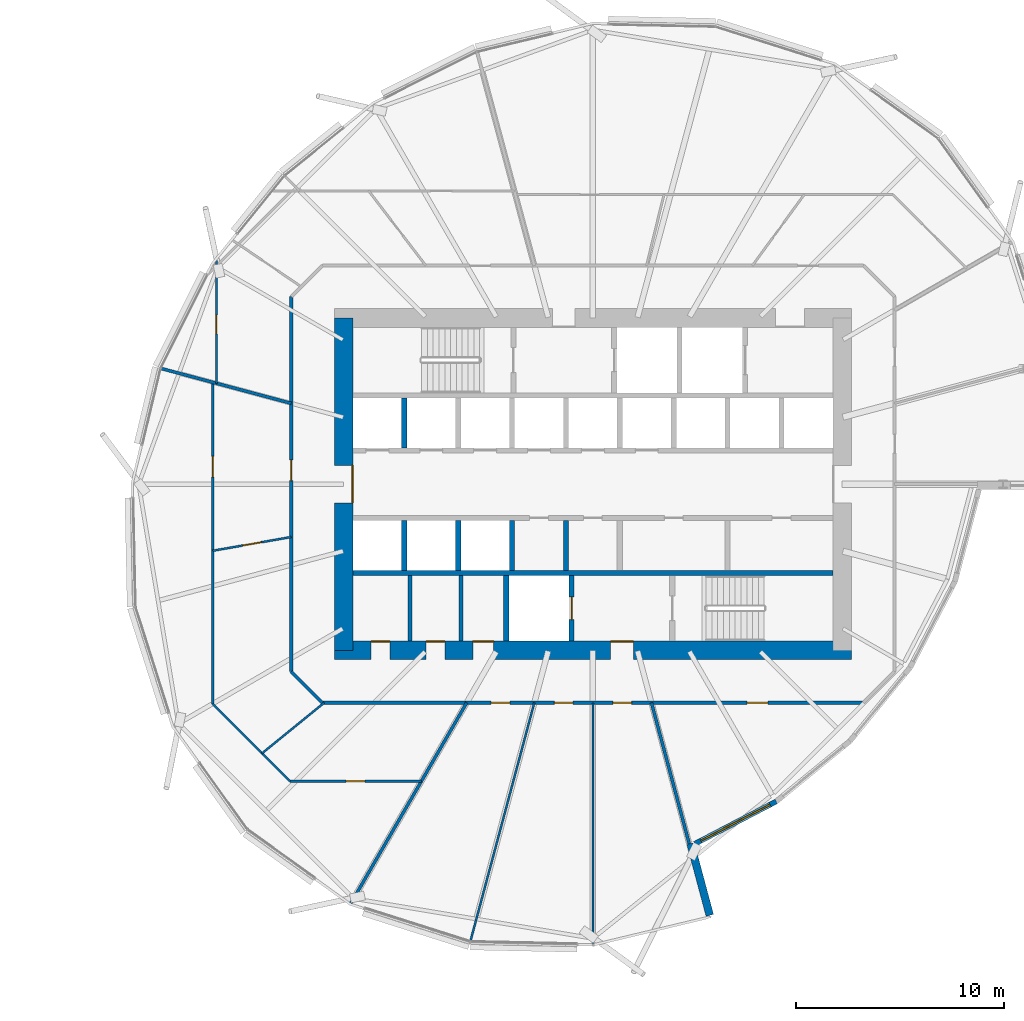
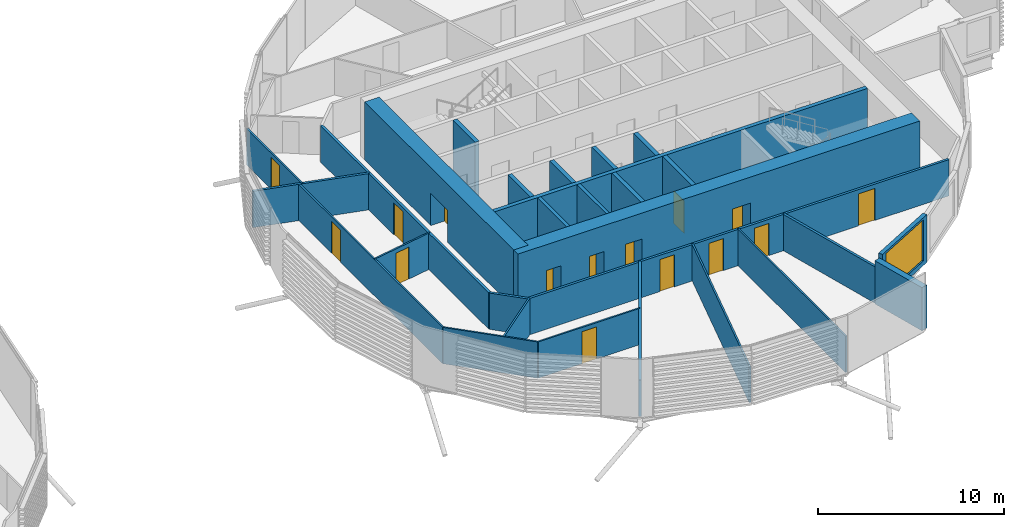
# One storey, part 23 of 38: 28 walls, 15 doors, 1 window, 16 openings.
"""IFC4 building model written with IfcOpenShell, lengths in metres."""

from ifc_helpers import new_model, si_unit, direction, frame, frame_2d, origin, place, context, subcontext, project, spatial, rectangle, extrude, material, layer, layer_set, type_object, element, fill, save


model = new_model("IFC4")

# Units and contexts
model_context = context("Model", 3, precision=1e-05, world=origin(), true_north=direction((0.0, 1.0)))
body_context = subcontext(model_context, "Body", "Model", "MODEL_VIEW")
ifc_project = project(units=[si_unit("LENGTHUNIT", "METRE"), si_unit("AREAUNIT", "SQUARE_METRE"), si_unit("VOLUMEUNIT", "CUBIC_METRE"), si_unit("PLANEANGLEUNIT", "RADIAN"), si_unit("MASSUNIT", "GRAM", prefix="KILO")], contexts=[model_context])

# Site, building, storey
site_placement = place(None, origin())
site = spatial("IfcSite", under=ifc_project, at=site_placement, CompositionType="ELEMENT")
building_placement = place(site_placement, origin())
building = spatial("IfcBuilding", under=site, at=building_placement, Name="Rimbun Link Towers", CompositionType="ELEMENT")
storey_placement = place(building_placement, frame((0.0, 0.0, 71.800048828125)))
storey = spatial("IfcBuildingStorey", under=building, at=storey_placement, Name="L17", CompositionType="ELEMENT", Elevation=71.800048828125)

# Wall, opening, window
ifc_material_1 = material(Name="Dark enamelled glass spandrel on insulated aluminium backpan", Category="aluminium")
ifc_layer_1 = layer(ifc_material_1, 0.25)
ifc_layer_set_1 = layer_set([ifc_layer_1], Name="CS dark enamelled spandrel wall 250")
wall_type_1 = type_object("IfcWallType", Name="CS dark enamelled spandrel wall 250", PredefinedType="STANDARD", material=ifc_layer_set_1)
wall_1_placement = place(storey_placement, frame((40.57958984375, -15.278564453125, 0.0), z_axis=(0.0, 0.0, 1.0), x_axis=(-0.886942309025, -0.461880223069, 0.0)))
wall_1 = element("IfcWall", 1, at=wall_1_placement, inside=storey, type_object=wall_type_1, Name="Crease spandrel wall", PredefinedType="STANDARD", context=body_context, shape_type="SweptSolid", body=[
    extrude(rectangle(XDim=4.429443359375, YDim=0.25, at=frame_2d((2.21484375, 0.0))), origin(), (0.0, 0.0, 1.0), 3.136474609375),
])
opening_1_placement = place(wall_1_placement, frame((0.33984375, 0.0, 0.300048828125)))
opening_1 = element("IfcOpeningElement", 2, at=opening_1_placement, cuts=wall_1, Name="Opening WR38H270", PredefinedType="OPENING", context=body_context, shape_type="SweptSolid", body=[
    extrude(rectangle(XDim=3.75, YDim=2.699951171875, at=frame_2d((1.875, 1.35009765625))), frame((0.0, 0.135009765625, 0.0), z_axis=(0.0, -1.0, 0.0), x_axis=(1.0, 0.0, 0.0)), (0.0, 0.0, 1.0), 0.27001953125),
])
ifc_material_2 = material(Name="Aluminium framed fixed window, dark tinted low-e glass", Category="aluminium")
window_type = type_object("IfcWindowType", Name="WR ribbon window 3750X2700", PartitioningType="SINGLE_PANEL", PredefinedType="WINDOW", material=ifc_material_2)
window_placement = place(opening_1_placement, origin())
window = element("IfcWindow", 3, at=window_placement, inside=storey, type_object=window_type, Name="Crease ribbon window", OverallHeight=2.699951171875, OverallWidth=3.75, PartitioningType="SINGLE_PANEL", PredefinedType="WINDOW", context=body_context, shape_type="SweptSolid", body=[
    extrude(rectangle(XDim=3.75, YDim=2.699951171875, at=frame_2d((1.875, 1.35009765625))), frame((0.0, 0.030029296875, 0.0), z_axis=(0.0, -1.0, 0.0), x_axis=(1.0, 0.0, 0.0)), (0.0, 0.0, 1.0), 0.06005859375),
])
fill(opening_1, window)

# Walls
ifc_material_3 = material(Name="Dark enamelled glass spandrel on insulated aluminium backpan", Category="aluminium")
ifc_layer_2 = layer(ifc_material_3, 0.3701171875)
ifc_layer_set_2 = layer_set([ifc_layer_2], Name="CS dark enamelled spandrel wall 370")
wall_type_2 = type_object("IfcWallType", Name="CS dark enamelled spandrel wall 370", PredefinedType="STANDARD", material=ifc_layer_set_2)
wall_2_placement = place(storey_placement, frame((36.453369140625, -17.30224609375, 0.0), z_axis=(0.0, 0.0, 1.0), x_axis=(0.258867887085, -0.965912737796, 0.0)))
element("IfcWall", 4, at=wall_2_placement, inside=storey, type_object=wall_type_2, Name="Crease spandrel wall", PredefinedType="STANDARD", context=body_context, shape_type="SweptSolid", body=[
    extrude(rectangle(XDim=3.580078125, YDim=0.3701171875, at=frame_2d((1.7900390625, 0.0))), origin(), (0.0, 0.0, 1.0), 2.82763671875),
])
ifc_material_4 = material(Name="Masonry blockwork", Category="masonry")
ifc_layer_3 = layer(ifc_material_4, 0.199951171875)
ifc_layer_set_3 = layer_set([ifc_layer_3], Name="Core partition 200")
wall_type_3 = type_object("IfcWallType", Name="Core partition 200", PredefinedType="PARTITIONING", material=ifc_layer_set_3)
for number, where, z_axis, x_axis, name in (
    (5, (22.949951171875, -4.39990234375, 0.0), (0.0, 0.0, 1.0), (0.0, -1.0, 0.0), "L17 T2 core wall C1"),
    (6, (25.39990234375, -4.39990234375, 0.0), (0.0, 0.0, 1.0), (0.0, -1.0, 0.0), "L17 T2 core wall C2"),
):
    element("IfcWall", number, at=place(storey_placement, frame(where, z_axis=z_axis, x_axis=x_axis)), inside=storey, type_object=wall_type_3, Name=name, PredefinedType="PARTITIONING", context=body_context, shape_type="SweptSolid", body=[
        extrude(rectangle(XDim=3.150146484375, YDim=0.199951171875, at=frame_2d((1.5751953125, 0.0))), origin(), (0.0, 0.0, 1.0), 3.800048828125),
    ])

# Wall, openings, doors
ifc_material_5 = material(Name="Concrete C60/75", Category="concrete")
ifc_layer_4 = layer(ifc_material_5, 0.89990234375)
ifc_layer_set_4 = layer_set([ifc_layer_4], Name="Core shear wall 900")
wall_type_4 = type_object("IfcWallType", Name="Core shear wall 900", PredefinedType="SHEAR", material=ifc_layer_set_4)
wall_3_placement = place(storey_placement, frame((19.300048828125, -8.0, 0.0), z_axis=(0.0, 0.0, 1.0), x_axis=(1.0, 0.0, 0.0)))
wall_3 = element("IfcWall", 7, at=wall_3_placement, inside=storey, type_object=wall_type_4, Name="L17 T2 core wall S", PredefinedType="SHEAR", context=body_context, shape_type="SweptSolid", body=[
    extrude(rectangle(XDim=24.89990234375, YDim=0.89990234375, at=frame_2d((12.449951171875, 0.0))), origin(), (0.0, 0.0, 1.0), 3.800048828125),
])
opening_2_placement = place(wall_3_placement, frame((13.300048828125, 0.0, 0.0)))
opening_2 = element("IfcOpeningElement", 8, at=opening_2_placement, cuts=wall_3, Name="Opening C2DCF01S", PredefinedType="OPENING", context=body_context, shape_type="SweptSolid", body=[
    extrude(rectangle(XDim=1.10009765625, YDim=2.10009765625, at=frame_2d((0.550048828125, 1.050048828125))), frame((0.0, 0.4599609375, 0.0), z_axis=(0.0, -1.0, 0.0), x_axis=(1.0, 0.0, 0.0)), (0.0, 0.0, 1.0), 0.919921875),
])
opening_3_placement = place(wall_3_placement, frame((1.77490234375, 0.0, 0.0)))
opening_3 = element("IfcOpeningElement", 9, at=opening_3_placement, cuts=wall_3, Name="Opening C2DWC02S", PredefinedType="OPENING", context=body_context, shape_type="SweptSolid", body=[
    extrude(rectangle(XDim=0.89990234375, YDim=2.10009765625, at=frame_2d((0.449951171875, 1.050048828125))), frame((0.0, 0.4599609375, 0.0), z_axis=(0.0, -1.0, 0.0), x_axis=(1.0, 0.0, 0.0)), (0.0, 0.0, 1.0), 0.919921875),
])
opening_4_placement = place(wall_3_placement, frame((4.425048828125, 0.0, 0.0)))
opening_4 = element("IfcOpeningElement", 10, at=opening_4_placement, cuts=wall_3, Name="Opening C2DWC03S", PredefinedType="OPENING", context=body_context, shape_type="SweptSolid", body=[
    extrude(rectangle(XDim=0.89990234375, YDim=2.10009765625, at=frame_2d((0.449951171875, 1.050048828125))), frame((0.0, 0.4599609375, 0.0), z_axis=(0.0, -1.0, 0.0), x_axis=(1.0, 0.0, 0.0)), (0.0, 0.0, 1.0), 0.919921875),
])
opening_5_placement = place(wall_3_placement, frame((6.675048828125, 0.0, 0.0)))
opening_5 = element("IfcOpeningElement", 11, at=opening_5_placement, cuts=wall_3, Name="Opening C2DAW04S", PredefinedType="OPENING", context=body_context, shape_type="SweptSolid", body=[
    extrude(rectangle(XDim=1.0, YDim=2.10009765625, at=frame_2d((0.5, 1.050048828125))), frame((0.0, 0.4599609375, 0.0), z_axis=(0.0, -1.0, 0.0), x_axis=(1.0, 0.0, 0.0)), (0.0, 0.0, 1.0), 0.919921875),
])
ifc_material_6 = material(Name="Timber", Category="wood")
door_type_1 = type_object("IfcDoorType", Name="Accessible WC door", OperationType="SINGLE_SWING_LEFT", PredefinedType="DOOR", material=ifc_material_6)
door_1_placement = place(opening_5_placement, origin())
door_1 = element("IfcDoor", 12, at=door_1_placement, inside=storey, type_object=door_type_1, Name="L17 T2 accessible wc door", OperationType="SINGLE_SWING_RIGHT", OverallHeight=2.10009765625, OverallWidth=1.0, PredefinedType="DOOR", context=body_context, shape_type="SweptSolid", body=[
    extrude(rectangle(XDim=1.0, YDim=2.10009765625, at=frame_2d((0.5, 1.050048828125))), frame((0.0, 0.4501953125, 0.0), z_axis=(0.0, -1.0, 0.0), x_axis=(1.0, 0.0, 0.0)), (0.0, 0.0, 1.0), 0.050048828125),
])
fill(opening_5, door_1)
ifc_material_7 = material(Name="Steel fire door set", Category="steel")
door_type_2 = type_object("IfcDoorType", Name="Core fire door single", OperationType="SINGLE_SWING_LEFT", PredefinedType="DOOR", material=ifc_material_7)
door_2_placement = place(opening_2_placement, origin())
door_2 = element("IfcDoor", 13, at=door_2_placement, inside=storey, type_object=door_type_2, Name="L17 T2 firefighting lobby s door", OperationType="SINGLE_SWING_LEFT", OverallHeight=2.10009765625, OverallWidth=1.10009765625, PredefinedType="DOOR", context=body_context, shape_type="SweptSolid", body=[
    extrude(rectangle(XDim=1.10009765625, YDim=2.10009765625, at=frame_2d((0.550048828125, 1.050048828125))), frame((0.0, 0.4501953125, 0.0), z_axis=(0.0, -1.0, 0.0), x_axis=(1.0, 0.0, 0.0)), (0.0, 0.0, 1.0), 0.050048828125),
])
fill(opening_2, door_2)
ifc_material_8 = material(Name="Timber", Category="wood")
door_type_3 = type_object("IfcDoorType", Name="WC door", OperationType="SINGLE_SWING_LEFT", PredefinedType="DOOR", material=ifc_material_8)
door_3_placement = place(opening_3_placement, origin())
door_3 = element("IfcDoor", 14, at=door_3_placement, inside=storey, type_object=door_type_3, Name="L17 T2 male wc door", OperationType="SINGLE_SWING_RIGHT", OverallHeight=2.10009765625, OverallWidth=0.89990234375, PredefinedType="DOOR", context=body_context, shape_type="SweptSolid", body=[
    extrude(rectangle(XDim=0.89990234375, YDim=2.10009765625, at=frame_2d((0.449951171875, 1.050048828125))), frame((0.0, 0.4501953125, 0.0), z_axis=(0.0, -1.0, 0.0), x_axis=(1.0, 0.0, 0.0)), (0.0, 0.0, 1.0), 0.050048828125),
])
fill(opening_3, door_3)
door_4_placement = place(opening_4_placement, origin())
door_4 = element("IfcDoor", 15, at=door_4_placement, inside=storey, type_object=door_type_3, Name="L17 T2 female wc door", OperationType="SINGLE_SWING_RIGHT", OverallHeight=2.10009765625, OverallWidth=0.89990234375, PredefinedType="DOOR", context=body_context, shape_type="SweptSolid", body=[
    extrude(rectangle(XDim=0.89990234375, YDim=2.10009765625, at=frame_2d((0.449951171875, 1.050048828125))), frame((0.0, 0.4501953125, 0.0), z_axis=(0.0, -1.0, 0.0), x_axis=(1.0, 0.0, 0.0)), (0.0, 0.0, 1.0), 0.050048828125),
])
fill(opening_4, door_4)

# Wall, opening, door
wall_4_placement = place(storey_placement, frame((19.75, -8.0, 0.0), z_axis=(0.0, 0.0, 1.0), x_axis=(0.0, 1.0, 0.0)))
wall_4 = element("IfcWall", 16, at=wall_4_placement, inside=storey, type_object=wall_type_4, Name="L17 T2 core wall W", PredefinedType="SHEAR", context=body_context, shape_type="SweptSolid", body=[
    extrude(rectangle(XDim=16.0, YDim=0.89990234375, at=frame_2d((8.0, 0.0))), origin(), (0.0, 0.0, 1.0), 3.800048828125),
])
opening_6_placement = place(wall_4_placement, frame((7.10009765625, 0.0, 0.0)))
opening_6 = element("IfcOpeningElement", 17, at=opening_6_placement, cuts=wall_4, Name="Opening C2DCL01W", PredefinedType="OPENING", context=body_context, shape_type="SweptSolid", body=[
    extrude(rectangle(XDim=1.800048828125, YDim=2.10009765625, at=frame_2d((0.89990234375, 1.050048828125))), frame((0.0, 0.4599609375, 0.0), z_axis=(0.0, -1.0, 0.0), x_axis=(1.0, 0.0, 0.0)), (0.0, 0.0, 1.0), 0.919921875),
])
ifc_material_9 = material(Name="Steel fire door set", Category="steel")
door_type_4 = type_object("IfcDoorType", Name="Core lobby door double", OperationType="DOUBLE_DOOR_SINGLE_SWING", PredefinedType="DOOR", material=ifc_material_9)
door_5_placement = place(opening_6_placement, origin())
door_5 = element("IfcDoor", 18, at=door_5_placement, inside=storey, type_object=door_type_4, Name="L17 T2 lift lobby door", OperationType="DOUBLE_DOOR_SINGLE_SWING", OverallHeight=2.10009765625, OverallWidth=1.800048828125, PredefinedType="DOOR", context=body_context, shape_type="SweptSolid", body=[
    extrude(rectangle(XDim=1.800048828125, YDim=2.10009765625, at=frame_2d((0.89990234375, 1.050048828125))), frame((0.0, -0.39990234375, 0.0), z_axis=(0.0, -1.0, 0.0), x_axis=(1.0, 0.0, 0.0)), (0.0, 0.0, 1.0), 0.050048828125),
])
fill(opening_6, door_5)

# Wall, openings, doors
ifc_material_10 = material(Name="Plasterboard on steel stud, mineral wool", Category="steel")
ifc_layer_5 = layer(ifc_material_10, 0.14990234375)
ifc_layer_set_5 = layer_set([ifc_layer_5], Name="Corridor wall EI 30 150 mm")
wall_type_5 = type_object("IfcWallType", Name="Corridor wall EI 30 150 mm", PredefinedType="PARTITIONING", material=ifc_layer_set_5)
wall_5_placement = place(storey_placement, frame((44.776611328125, -10.52490234375, 0.0), z_axis=(0.0, 0.0, 1.0), x_axis=(-1.0, 0.0, 0.0)))
wall_5 = element("IfcWall", 19, at=wall_5_placement, inside=storey, type_object=wall_type_5, Name="Corridor wall EI 30 150 mm", PredefinedType="PARTITIONING", context=body_context, shape_type="SweptSolid", body=[
    extrude(rectangle(XDim=26.05322265625, YDim=0.14990234375, at=frame_2d((13.026611328125, 0.0))), origin(), (0.0, 0.0, 1.0), 2.3798828125),
])
opening_7_placement = place(wall_5_placement, frame((17.025146484375, 0.0, 0.0)))
opening_7 = element("IfcOpeningElement", 20, at=opening_7_placement, cuts=wall_5, Name="Opening D02", PredefinedType="OPENING", context=body_context, shape_type="SweptSolid", body=[
    extrude(rectangle(XDim=0.89990234375, YDim=2.10009765625, at=frame_2d((0.449951171875, 1.050048828125))), frame((0.0, 0.0849609375, 0.0), z_axis=(0.0, -1.0, 0.0), x_axis=(1.0, 0.0, 0.0)), (0.0, 0.0, 1.0), 0.169921875),
])
opening_8_placement = place(wall_5_placement, frame((13.98681640625, 0.0, 0.0)))
opening_8 = element("IfcOpeningElement", 21, at=opening_8_placement, cuts=wall_5, Name="Opening D02", PredefinedType="OPENING", context=body_context, shape_type="SweptSolid", body=[
    extrude(rectangle(XDim=0.89990234375, YDim=2.10009765625, at=frame_2d((0.449951171875, 1.050048828125))), frame((0.0, 0.0849609375, 0.0), z_axis=(0.0, -1.0, 0.0), x_axis=(1.0, 0.0, 0.0)), (0.0, 0.0, 1.0), 0.169921875),
])
opening_9_placement = place(wall_5_placement, frame((11.16650390625, 0.0, 0.0)))
opening_9 = element("IfcOpeningElement", 22, at=opening_9_placement, cuts=wall_5, Name="Opening D02", PredefinedType="OPENING", context=body_context, shape_type="SweptSolid", body=[
    extrude(rectangle(XDim=0.89990234375, YDim=2.10009765625, at=frame_2d((0.449951171875, 1.050048828125))), frame((0.0, 0.0849609375, 0.0), z_axis=(0.0, -1.0, 0.0), x_axis=(1.0, 0.0, 0.0)), (0.0, 0.0, 1.0), 0.169921875),
])
opening_10_placement = place(wall_5_placement, frame((4.603271484375, 0.0, 0.0)))
opening_10 = element("IfcOpeningElement", 23, at=opening_10_placement, cuts=wall_5, Name="Opening D01", PredefinedType="OPENING", context=body_context, shape_type="SweptSolid", body=[
    extrude(rectangle(XDim=1.0, YDim=2.10009765625, at=frame_2d((0.5, 1.050048828125))), frame((0.0, 0.0849609375, 0.0), z_axis=(0.0, -1.0, 0.0), x_axis=(1.0, 0.0, 0.0)), (0.0, 0.0, 1.0), 0.169921875),
])
ifc_material_11 = material(Name="Fire-resisting timber door leaf", Category="wood")
door_type_5 = type_object("IfcDoorType", Name="Fire door FD30S 1000", OperationType="NOTDEFINED", PredefinedType="DOOR", material=ifc_material_11)
door_6_placement = place(opening_10_placement, origin())
door_6 = element("IfcDoor", 24, at=door_6_placement, inside=storey, type_object=door_type_5, Name="Fire door FD30S 1000 to Terrace office", OperationType="SINGLE_SWING_LEFT", OverallHeight=2.10009765625, OverallWidth=1.0, PredefinedType="DOOR", context=body_context, shape_type="SweptSolid", body=[
    extrude(rectangle(XDim=1.0, YDim=2.10009765625, at=frame_2d((0.5, 1.050048828125))), frame((0.0, 0.02490234375, 0.0), z_axis=(0.0, -1.0, 0.0), x_axis=(1.0, 0.0, 0.0)), (0.0, 0.0, 1.0), 0.050048828125),
])
fill(opening_10, door_6)
ifc_material_12 = material(Name="Fire-resisting timber door leaf", Category="wood")
door_type_6 = type_object("IfcDoorType", Name="Fire door FD30S 900", OperationType="NOTDEFINED", PredefinedType="DOOR", material=ifc_material_12)
door_7_placement = place(opening_7_placement, origin())
door_7 = element("IfcDoor", 25, at=door_7_placement, inside=storey, type_object=door_type_6, Name="Fire door FD30S 900 to Cellular office", OperationType="SINGLE_SWING_RIGHT", OverallHeight=2.10009765625, OverallWidth=0.89990234375, PredefinedType="DOOR", context=body_context, shape_type="SweptSolid", body=[
    extrude(rectangle(XDim=0.89990234375, YDim=2.10009765625, at=frame_2d((0.449951171875, 1.050048828125))), frame((0.0, 0.02490234375, 0.0), z_axis=(0.0, -1.0, 0.0), x_axis=(1.0, 0.0, 0.0)), (0.0, 0.0, 1.0), 0.050048828125),
])
fill(opening_7, door_7)
door_8_placement = place(opening_8_placement, origin())
door_8 = element("IfcDoor", 26, at=door_8_placement, inside=storey, type_object=door_type_6, Name="Fire door FD30S 900 to Cellular office", OperationType="SINGLE_SWING_LEFT", OverallHeight=2.10009765625, OverallWidth=0.89990234375, PredefinedType="DOOR", context=body_context, shape_type="SweptSolid", body=[
    extrude(rectangle(XDim=0.89990234375, YDim=2.10009765625, at=frame_2d((0.449951171875, 1.050048828125))), frame((0.0, 0.02490234375, 0.0), z_axis=(0.0, -1.0, 0.0), x_axis=(1.0, 0.0, 0.0)), (0.0, 0.0, 1.0), 0.050048828125),
])
fill(opening_8, door_8)
door_9_placement = place(opening_9_placement, origin())
door_9 = element("IfcDoor", 27, at=door_9_placement, inside=storey, type_object=door_type_6, Name="Fire door FD30S 900 to Meeting room", OperationType="SINGLE_SWING_RIGHT", OverallHeight=2.10009765625, OverallWidth=0.89990234375, PredefinedType="DOOR", context=body_context, shape_type="SweptSolid", body=[
    extrude(rectangle(XDim=0.89990234375, YDim=2.10009765625, at=frame_2d((0.449951171875, 1.050048828125))), frame((0.0, 0.02490234375, 0.0), z_axis=(0.0, -1.0, 0.0), x_axis=(1.0, 0.0, 0.0)), (0.0, 0.0, 1.0), 0.050048828125),
])
fill(opening_9, door_9)

# Wall
wall_6_placement = place(storey_placement, frame((17.22509765625, -9.026611328125, 0.0), z_axis=(0.0, 0.0, 1.0), x_axis=(0.707106781187, -0.707106781187, 0.0)))
element("IfcWall", 28, at=wall_6_placement, inside=storey, type_object=wall_type_5, Name="Corridor wall EI 30 150 mm", PredefinedType="PARTITIONING", context=body_context, shape_type="SweptSolid", body=[
    extrude(rectangle(XDim=2.118896484375, YDim=0.14990234375, at=frame_2d((1.0595703125, 0.0))), origin(), (0.0, 0.0, 1.0), 2.3798828125),
])

# Wall, opening, door
wall_7_placement = place(storey_placement, frame((17.22509765625, -9.026611328125, 0.0), z_axis=(0.0, 0.0, 1.0), x_axis=(0.0, 1.0, 0.0)))
wall_7 = element("IfcWall", 29, at=wall_7_placement, inside=storey, type_object=wall_type_5, Name="Corridor wall EI 30 150 mm", PredefinedType="PARTITIONING", context=body_context, shape_type="SweptSolid", body=[
    extrude(rectangle(XDim=18.05322265625, YDim=0.14990234375, at=frame_2d((9.026611328125, 0.0))), origin(), (0.0, 0.0, 1.0), 2.3798828125),
])
opening_11_placement = place(wall_7_placement, frame((9.200439453125, 0.0, 0.0)))
opening_11 = element("IfcOpeningElement", 30, at=opening_11_placement, cuts=wall_7, Name="Opening D01", PredefinedType="OPENING", context=body_context, shape_type="SweptSolid", body=[
    extrude(rectangle(XDim=1.0, YDim=2.10009765625, at=frame_2d((0.5, 1.050048828125))), frame((0.0, 0.0849609375, 0.0), z_axis=(0.0, -1.0, 0.0), x_axis=(1.0, 0.0, 0.0)), (0.0, 0.0, 1.0), 0.169921875),
])
door_10_placement = place(opening_11_placement, origin())
door_10 = element("IfcDoor", 31, at=door_10_placement, inside=storey, type_object=door_type_5, Name="Fire door FD30S 1000 to Customer lobby", OperationType="SINGLE_SWING_LEFT", OverallHeight=2.10009765625, OverallWidth=1.0, PredefinedType="DOOR", context=body_context, shape_type="SweptSolid", body=[
    extrude(rectangle(XDim=1.0, YDim=2.10009765625, at=frame_2d((0.5, 1.050048828125))), frame((0.0, 0.02490234375, 0.0), z_axis=(0.0, -1.0, 0.0), x_axis=(1.0, 0.0, 0.0)), (0.0, 0.0, 1.0), 0.050048828125),
])
fill(opening_11, door_10)

ifc_material_13 = material(Name="Plasterboard on steel stud", Category="steel")
ifc_layer_6 = layer(ifc_material_13, 0.10009765625)
ifc_layer_set_6 = layer_set([ifc_layer_6], Name="Plasterboard partition 100 mm")
wall_type_6 = type_object("IfcWallType", Name="Plasterboard partition 100 mm", PredefinedType="PARTITIONING", material=ifc_layer_set_6)
wall_8_placement = place(storey_placement, frame((13.625, 4.856689453125, 0.0), z_axis=(0.0, 0.0, 1.0), x_axis=(0.0, 1.0, 0.0)))
wall_8 = element("IfcWall", 32, at=wall_8_placement, inside=storey, type_object=wall_type_6, Name="Plasterboard partition 100 mm", PredefinedType="PARTITIONING", context=body_context, shape_type="SweptSolid", body=[
    extrude(rectangle(XDim=5.92431640625, YDim=0.10009765625, at=frame_2d((2.962158203125, 0.0))), origin(), (0.0, 0.0, 1.0), 2.3798828125),
])
opening_12_placement = place(wall_8_placement, frame((2.380615234375, 0.0, 0.0)))
opening_12 = element("IfcOpeningElement", 33, at=opening_12_placement, cuts=wall_8, Name="Opening D04", PredefinedType="OPENING", context=body_context, shape_type="SweptSolid", body=[
    extrude(rectangle(XDim=0.89990234375, YDim=2.10009765625, at=frame_2d((0.449951171875, 1.050048828125))), frame((0.0, 0.06005859375, 0.0), z_axis=(0.0, -1.0, 0.0), x_axis=(1.0, 0.0, 0.0)), (0.0, 0.0, 1.0), 0.1201171875),
])
ifc_material_14 = material(Name="Timber door leaf", Category="wood")
door_type_7 = type_object("IfcDoorType", Name="Flush door 900", OperationType="NOTDEFINED", PredefinedType="DOOR", material=ifc_material_14)
door_11_placement = place(opening_12_placement, origin())
door_11 = element("IfcDoor", 34, at=door_11_placement, inside=storey, type_object=door_type_7, Name="Flush door 900 to Serviced office", OperationType="SINGLE_SWING_LEFT", OverallHeight=2.10009765625, OverallWidth=0.89990234375, PredefinedType="DOOR", context=body_context, shape_type="SweptSolid", body=[
    extrude(rectangle(XDim=0.89990234375, YDim=2.10009765625, at=frame_2d((0.449951171875, 1.050048828125))), frame((0.0, 0.02490234375, 0.0), z_axis=(0.0, -1.0, 0.0), x_axis=(1.0, 0.0, 0.0)), (0.0, 0.0, 1.0), 0.050048828125),
])
fill(opening_12, door_11)

wall_9_placement = place(storey_placement, frame((17.22509765625, -2.544677734375, 0.0), z_axis=(0.0, 0.0, 1.0), x_axis=(-0.985003719376, -0.172533106436, 0.0)))
wall_9 = element("IfcWall", 35, at=wall_9_placement, inside=storey, type_object=wall_type_6, Name="Plasterboard partition 100 mm", PredefinedType="PARTITIONING", context=body_context, shape_type="SweptSolid", body=[
    extrude(rectangle(XDim=3.837646484375, YDim=0.10009765625, at=frame_2d((1.9189453125, 0.0))), origin(), (0.0, 0.0, 1.0), 2.3798828125),
])
opening_13_placement = place(wall_9_placement, frame((1.46875, 0.0, 0.0)))
opening_13 = element("IfcOpeningElement", 36, at=opening_13_placement, cuts=wall_9, Name="Opening D04", PredefinedType="OPENING", context=body_context, shape_type="SweptSolid", body=[
    extrude(rectangle(XDim=0.89990234375, YDim=2.10009765625, at=frame_2d((0.449951171875, 1.050048828125))), frame((0.0, 0.06005859375, 0.0), z_axis=(0.0, -1.0, 0.0), x_axis=(1.0, 0.0, 0.0)), (0.0, 0.0, 1.0), 0.1201171875),
])
door_12_placement = place(opening_13_placement, origin())
door_12 = element("IfcDoor", 37, at=door_12_placement, inside=storey, type_object=door_type_7, Name="Flush door 900 to Interview room", OperationType="SINGLE_SWING_RIGHT", OverallHeight=2.10009765625, OverallWidth=0.89990234375, PredefinedType="DOOR", context=body_context, shape_type="SweptSolid", body=[
    extrude(rectangle(XDim=0.89990234375, YDim=2.10009765625, at=frame_2d((0.449951171875, 1.050048828125))), frame((0.0, 0.02490234375, 0.0), z_axis=(0.0, -1.0, 0.0), x_axis=(1.0, 0.0, 0.0)), (0.0, 0.0, 1.0), 0.050048828125),
])
fill(opening_13, door_12)

wall_10_placement = place(storey_placement, frame((13.445068359375, -10.59228515625, 0.0), z_axis=(0.0, 0.0, 1.0), x_axis=(0.0, 1.0, 0.0)))
wall_10 = element("IfcWall", 38, at=wall_10_placement, inside=storey, type_object=wall_type_6, Name="Plasterboard partition 100 mm", PredefinedType="PARTITIONING", context=body_context, shape_type="SweptSolid", body=[
    extrude(rectangle(XDim=15.4970703125, YDim=0.10009765625, at=frame_2d((7.74853515625, 0.0))), origin(), (0.0, 0.0, 1.0), 2.3798828125),
])
opening_14_placement = place(wall_10_placement, frame((10.926513671875, 0.0, 0.0)))
opening_14 = element("IfcOpeningElement", 39, at=opening_14_placement, cuts=wall_10, Name="Opening D03", PredefinedType="OPENING", context=body_context, shape_type="SweptSolid", body=[
    extrude(rectangle(XDim=1.0, YDim=2.10009765625, at=frame_2d((0.5, 1.050048828125))), frame((0.0, 0.06005859375, 0.0), z_axis=(0.0, -1.0, 0.0), x_axis=(1.0, 0.0, 0.0)), (0.0, 0.0, 1.0), 0.1201171875),
])
ifc_material_15 = material(Name="Timber door leaf", Category="wood")
door_type_8 = type_object("IfcDoorType", Name="Flush door 1000", OperationType="NOTDEFINED", PredefinedType="DOOR", material=ifc_material_15)
door_13_placement = place(opening_14_placement, origin())
door_13 = element("IfcDoor", 40, at=door_13_placement, inside=storey, type_object=door_type_8, Name="Flush door 1000 to Banking hall", OperationType="SINGLE_SWING_LEFT", OverallHeight=2.10009765625, OverallWidth=1.0, PredefinedType="DOOR", context=body_context, shape_type="SweptSolid", body=[
    extrude(rectangle(XDim=1.0, YDim=2.10009765625, at=frame_2d((0.5, 1.050048828125))), frame((0.0, 0.02490234375, 0.0), z_axis=(0.0, -1.0, 0.0), x_axis=(1.0, 0.0, 0.0)), (0.0, 0.0, 1.0), 0.050048828125),
])
fill(opening_14, door_13)

# Walls
wall_11_placement = place(storey_placement, frame((15.8154296875, -12.962890625, 0.0), z_axis=(0.0, 0.0, 1.0), x_axis=(0.775725311714, 0.631070709799, 0.0)))
element("IfcWall", 41, at=wall_11_placement, inside=storey, type_object=wall_type_6, Name="Plasterboard partition 100 mm", PredefinedType="PARTITIONING", context=body_context, shape_type="SweptSolid", body=[
    extrude(rectangle(XDim=3.86328125, YDim=0.10009765625, at=frame_2d((1.931640625, 0.0))), origin(), (0.0, 0.0, 1.0), 2.3798828125),
])
wall_12_placement = place(storey_placement, frame((13.445068359375, -10.59228515625, 0.0), z_axis=(0.0, 0.0, 1.0), x_axis=(0.707106781187, -0.707106781187, 0.0)))
element("IfcWall", 42, at=wall_12_placement, inside=storey, type_object=wall_type_6, Name="Plasterboard partition 100 mm", PredefinedType="PARTITIONING", context=body_context, shape_type="SweptSolid", body=[
    extrude(rectangle(XDim=5.25048828125, YDim=0.10009765625, at=frame_2d((2.625244140625, 0.0))), origin(), (0.0, 0.0, 1.0), 2.3798828125),
])

# Wall, opening, door
wall_13_placement = place(storey_placement, frame((17.15771484375, -14.304931640625, 0.0), z_axis=(0.0, 0.0, 1.0), x_axis=(1.0, 0.0, 0.0)))
wall_13 = element("IfcWall", 43, at=wall_13_placement, inside=storey, type_object=wall_type_6, Name="Plasterboard partition 100 mm", PredefinedType="PARTITIONING", context=body_context, shape_type="SweptSolid", body=[
    extrude(rectangle(XDim=6.333251953125, YDim=0.10009765625, at=frame_2d((3.16650390625, 0.0))), origin(), (0.0, 0.0, 1.0), 2.3798828125),
])
opening_15_placement = place(wall_13_placement, frame((2.716796875, 0.0, 0.0)))
opening_15 = element("IfcOpeningElement", 44, at=opening_15_placement, cuts=wall_13, Name="Opening D04", PredefinedType="OPENING", context=body_context, shape_type="SweptSolid", body=[
    extrude(rectangle(XDim=0.89990234375, YDim=2.10009765625, at=frame_2d((0.449951171875, 1.050048828125))), frame((0.0, 0.06005859375, 0.0), z_axis=(0.0, -1.0, 0.0), x_axis=(1.0, 0.0, 0.0)), (0.0, 0.0, 1.0), 0.1201171875),
])
door_14_placement = place(opening_15_placement, origin())
door_14 = element("IfcDoor", 45, at=door_14_placement, inside=storey, type_object=door_type_7, Name="Flush door 900 to Strong room", OperationType="SINGLE_SWING_LEFT", OverallHeight=2.10009765625, OverallWidth=0.89990234375, PredefinedType="DOOR", context=body_context, shape_type="SweptSolid", body=[
    extrude(rectangle(XDim=0.89990234375, YDim=2.10009765625, at=frame_2d((0.449951171875, 1.050048828125))), frame((0.0, 0.02490234375, 0.0), z_axis=(0.0, -1.0, 0.0), x_axis=(1.0, 0.0, 0.0)), (0.0, 0.0, 1.0), 0.050048828125),
])
fill(opening_15, door_14)

# Walls
wall_14_placement = place(storey_placement, frame((25.853759765625, -22.0048828125, 0.0), z_axis=(0.0, 0.0, 1.0), x_axis=(0.258809329338, 0.965928429568, 0.0)))
element("IfcWall", 46, at=wall_14_placement, inside=storey, type_object=wall_type_6, Name="Plasterboard partition 100 mm", PredefinedType="PARTITIONING", context=body_context, shape_type="SweptSolid", body=[
    extrude(rectangle(XDim=11.885009765625, YDim=0.10009765625, at=frame_2d((5.9423828125, 0.0))), origin(), (0.0, 0.0, 1.0), 2.3798828125),
])
wall_15_placement = place(storey_placement, frame((31.75, -22.12890625, 0.0), z_axis=(0.0, 0.0, 1.0), x_axis=(0.0, 1.0, 0.0)))
element("IfcWall", 47, at=wall_15_placement, inside=storey, type_object=wall_type_6, Name="Plasterboard partition 100 mm", PredefinedType="PARTITIONING", context=body_context, shape_type="SweptSolid", body=[
    extrude(rectangle(XDim=11.60400390625, YDim=0.10009765625, at=frame_2d((5.802001953125, 0.0))), origin(), (0.0, 0.0, 1.0), 2.3798828125),
])
ifc_material_16 = material(Name="Concrete C60/75", Category="concrete")
ifc_layer_7 = layer(ifc_material_16, 0.25)
ifc_layer_set_7 = layer_set([ifc_layer_7], Name="Shaft wall 250")
wall_type_7 = type_object("IfcWallType", Name="Shaft wall 250", PredefinedType="SHEAR", material=ifc_layer_set_7)
wall_16_placement = place(storey_placement, frame((20.199951171875, -4.27490234375, 0.0), z_axis=(0.0, 0.0, 1.0), x_axis=(1.0, 0.0, 0.0)))
element("IfcWall", 48, at=wall_16_placement, inside=storey, type_object=wall_type_7, Name="L17 T2 core wall BS", PredefinedType="SHEAR", context=body_context, shape_type="SweptSolid", body=[
    extrude(rectangle(XDim=23.10009765625, YDim=0.25, at=frame_2d((11.550048828125, 0.0))), origin(), (0.0, 0.0, 1.0), 3.800048828125),
])
for number, where, z_axis, x_axis, name in (
    (49, (22.66943359375, 1.75, 0.0), (0.0, 0.0, 1.0), (0.0, 1.0, 0.0), "L17 T2 core wall DN0"),
    (50, (22.66943359375, -4.14990234375, 0.0), (0.0, 0.0, 1.0), (0.0, 1.0, 0.0), "L17 T2 core wall DS0"),
    (51, (25.263916015625, -4.14990234375, 0.0), (0.0, 0.0, 1.0), (0.0, 1.0, 0.0), "L17 T2 core wall DS1"),
    (52, (27.8583984375, -4.14990234375, 0.0), (0.0, 0.0, 1.0), (0.0, 1.0, 0.0), "L17 T2 core wall DS2"),
    (53, (30.452880859375, -4.14990234375, 0.0), (0.0, 0.0, 1.0), (0.0, 1.0, 0.0), "L17 T2 core wall DS3"),
):
    element("IfcWall", number, at=place(storey_placement, frame(where, z_axis=z_axis, x_axis=x_axis)), inside=storey, type_object=wall_type_7, Name=name, PredefinedType="SHEAR", context=body_context, shape_type="SweptSolid", body=[
        extrude(rectangle(XDim=2.39990234375, YDim=0.25, at=frame_2d((1.199951171875, 0.0))), origin(), (0.0, 0.0, 1.0), 3.800048828125),
    ])

# Wall, opening, door
wall_17_placement = place(storey_placement, frame((30.72509765625, -4.39990234375, 0.0), z_axis=(0.0, 0.0, 1.0), x_axis=(0.0, -1.0, 0.0)))
wall_17 = element("IfcWall", 54, at=wall_17_placement, inside=storey, type_object=wall_type_7, Name="L17 T2 core wall B2", PredefinedType="SHEAR", context=body_context, shape_type="SweptSolid", body=[
    extrude(rectangle(XDim=3.150146484375, YDim=0.25, at=frame_2d((1.5751953125, 0.0))), origin(), (0.0, 0.0, 1.0), 3.800048828125),
])
opening_16_placement = place(wall_17_placement, frame((1.02490234375, 0.0, 0.0)))
opening_16 = element("IfcOpeningElement", 55, at=opening_16_placement, cuts=wall_17, Name="Opening LD-T2-FF2", PredefinedType="OPENING", context=body_context, shape_type="SweptSolid", body=[
    extrude(rectangle(XDim=1.10009765625, YDim=2.10009765625, at=frame_2d((0.550048828125, 1.050048828125))), frame((0.0, 0.135009765625, 0.0), z_axis=(0.0, -1.0, 0.0), x_axis=(1.0, 0.0, 0.0)), (0.0, 0.0, 1.0), 0.27001953125),
])
ifc_material_17 = material(Name="Stainless steel grade 316", Category="steel")
door_type_9 = type_object("IfcDoorType", Name="Lift landing door", OperationType="DOUBLE_DOOR_SLIDING", PredefinedType="DOOR", material=ifc_material_17)
door_15_placement = place(opening_16_placement, origin())
door_15 = element("IfcDoor", 56, at=door_15_placement, inside=storey, type_object=door_type_9, Name="L17 T2 lift FF2 landing door", OperationType="DOUBLE_DOOR_SLIDING", OverallHeight=2.10009765625, OverallWidth=1.10009765625, PredefinedType="DOOR", context=body_context, shape_type="SweptSolid", body=[
    extrude(rectangle(XDim=1.10009765625, YDim=2.10009765625, at=frame_2d((0.550048828125, 1.050048828125))), frame((0.0, 0.02490234375, 0.0), z_axis=(0.0, -1.0, 0.0), x_axis=(1.0, 0.0, 0.0)), (0.0, 0.0, 1.0), 0.050048828125),
])
fill(opening_16, door_15)

# Walls
wall_18_placement = place(storey_placement, frame((27.574951171875, -4.39990234375, 0.0), z_axis=(0.0, 0.0, 1.0), x_axis=(0.0, -1.0, 0.0)))
element("IfcWall", 57, at=wall_18_placement, inside=storey, type_object=wall_type_7, Name="L17 T2 core wall B3", PredefinedType="SHEAR", context=body_context, shape_type="SweptSolid", body=[
    extrude(rectangle(XDim=3.150146484375, YDim=0.25, at=frame_2d((1.5751953125, 0.0))), origin(), (0.0, 0.0, 1.0), 3.800048828125),
])
ifc_material_18 = material(Name="Plasterboard on steel stud, mineral wool", Category="steel")
ifc_layer_8 = layer(ifc_material_18, 0.14990234375)
ifc_layer_set_8 = layer_set([ifc_layer_8], Name="Tenancy separation wall EI 60 150 mm")
wall_type_8 = type_object("IfcWallType", Name="Tenancy separation wall EI 60 150 mm", PredefinedType="PARTITIONING", material=ifc_layer_set_8)
wall_19_placement = place(storey_placement, frame((17.22509765625, 3.89208984375, 0.0), z_axis=(0.0, 0.0, 1.0), x_axis=(-0.965926567568, 0.258816278596, 0.0)))
element("IfcWall", 58, at=wall_19_placement, inside=storey, type_object=wall_type_8, Name="Tenancy separation wall EI 60 150 mm", PredefinedType="PARTITIONING", context=body_context, shape_type="SweptSolid", body=[
    extrude(rectangle(XDim=6.49267578125, YDim=0.14990234375, at=frame_2d((3.246337890625, 0.0))), origin(), (0.0, 0.0, 1.0), 2.3798828125),
])
wall_20_placement = place(storey_placement, frame((25.67333984375, -10.52490234375, 0.0), z_axis=(0.0, 0.0, 1.0), x_axis=(-0.499982273581, -0.866035637895, 0.0)))
element("IfcWall", 59, at=wall_20_placement, inside=storey, type_object=wall_type_8, Name="Tenancy separation wall EI 60 150 mm", PredefinedType="PARTITIONING", context=body_context, shape_type="SweptSolid", body=[
    extrude(rectangle(XDim=11.1435546875, YDim=0.14990234375, at=frame_2d((5.57177734375, 0.0))), origin(), (0.0, 0.0, 1.0), 2.3798828125),
])
wall_21_placement = place(storey_placement, frame((34.5703125, -10.52490234375, 0.0), z_axis=(0.0, 0.0, 1.0), x_axis=(0.25879449513, -0.9659324041, 0.0)))
element("IfcWall", 60, at=wall_21_placement, inside=storey, type_object=wall_type_8, Name="Tenancy separation wall EI 60 150 mm", PredefinedType="PARTITIONING", context=body_context, shape_type="SweptSolid", body=[
    extrude(rectangle(XDim=7.033935546875, YDim=0.14990234375, at=frame_2d((3.51708984375, 0.0))), origin(), (0.0, 0.0, 1.0), 2.3798828125),
])

save(model, "model.ifc")
